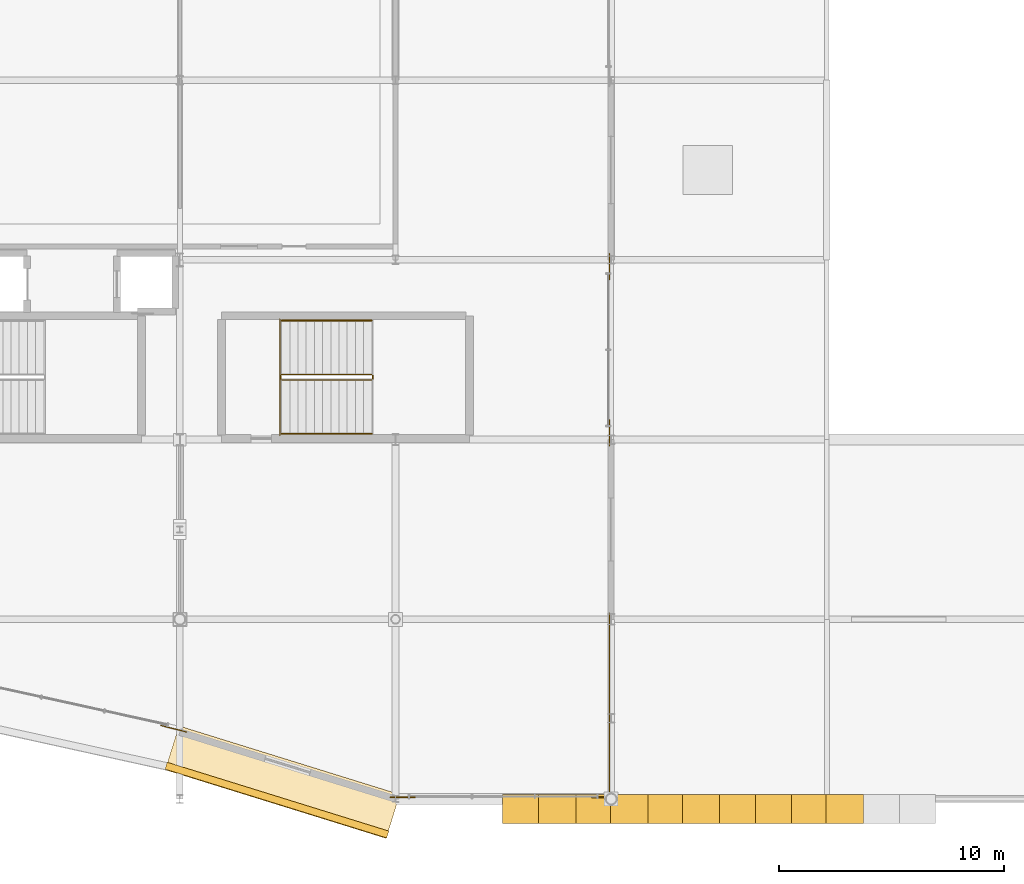
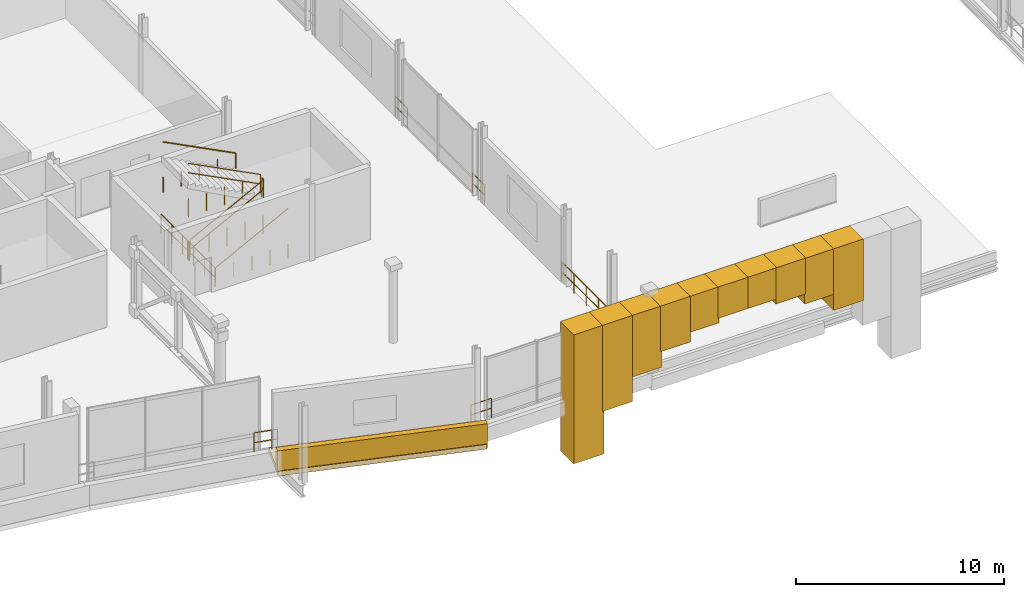
# One storey, part 179 of 193: 12 coverings, 12 railings.
"""IFC4 building model written with IfcOpenShell, lengths in metres."""

import ifcopenshell
import ifcopenshell.guid

model = None  # the IFC model being written
_history = None  # IfcOwnerHistory: only IFC2X3 demands one
_inside = {}  # id of a spatial element -> (the spatial element, [elements in it])
_under = {}  # id of a project, library or spatial element -> (it, [spatial elements below it])
_declared = {}  # id of a project -> (the project, [libraries it declares])
_typed = {}  # id of a type object -> (the type object, [elements of that type])
_made_of = {}  # id of a material, layer set ... -> (it, [elements and type objects made of it])


def new_model(schema):
    """Start an empty IFC model of exactly this schema.

    Asked for "IFC4X3", IfcOpenShell would pick the latest addendum, in which some entities
    have other attributes; the version numbers below select the first issue.
    IFC2X3 requires an IfcOwnerHistory on every rooted entity: one is made here for all.
    """
    global model, _history
    if schema == "IFC4X3":
        model = ifcopenshell.file(schema_version=(4, 3, 0, 0))
    else:
        model = ifcopenshell.file(schema=schema)
    _inside.clear()
    _under.clear()
    _declared.clear()
    _typed.clear()
    _made_of.clear()
    _history = None
    if model.schema == "IFC2X3":
        org = make("IfcOrganization", Name="unknown")
        user = make(
            "IfcPersonAndOrganization",
            ThePerson=make("IfcPerson", FamilyName="unknown"),
            TheOrganization=org,
        )
        app = make(
            "IfcApplication",
            ApplicationDeveloper=org,
            Version="unknown",
            ApplicationFullName="unknown",
            ApplicationIdentifier="unknown",
        )
        _history = make(
            "IfcOwnerHistory",
            OwningUser=user,
            OwningApplication=app,
            ChangeAction="ADDED",
            CreationDate=0,
        )
    return model


def make(cls, **values):
    """One entity of the class cls with the attributes given. An attribute that is None is left unset."""
    return model.create_entity(
        cls, **{name: value for name, value in values.items() if value is not None}
    )


def rooted(cls, **values):
    """An entity with a GlobalId (a new one), such as an element, a storey or a relation."""
    return make(cls, GlobalId=ifcopenshell.guid.new(), OwnerHistory=_history, **values)


def si_unit(unit_type, name, prefix=None):
    """IfcSIUnit, for example si_unit("LENGTHUNIT", "METRE", prefix="MILLI")."""
    return make("IfcSIUnit", UnitType=unit_type, Prefix=prefix, Name=name)


def assignment(units):
    """IfcUnitAssignment: the units of a project."""
    return None if units is None else make("IfcUnitAssignment", Units=units)


def point(xyz):
    """IfcCartesianPoint."""
    return None if xyz is None else make("IfcCartesianPoint", Coordinates=xyz)


def direction(xyz):
    """IfcDirection."""
    return None if xyz is None else make("IfcDirection", DirectionRatios=xyz)


def frame(location, z_axis=None, x_axis=None):
    """IfcAxis2Placement3D, a coordinate frame: its origin and axes. An axis left out is left unset."""
    return make(
        "IfcAxis2Placement3D",
        Location=point(location),
        Axis=direction(z_axis),
        RefDirection=direction(x_axis),
    )


def frame_2d(location, x_axis=None):
    """IfcAxis2Placement2D, a coordinate frame in the plane: its origin and x axis."""
    return make(
        "IfcAxis2Placement2D", Location=point(location), RefDirection=direction(x_axis)
    )


def origin():
    """The frame at (0, 0, 0) with its axes left unset."""
    return frame((0.0, 0.0, 0.0))


def origin_2d():
    """The frame at (0, 0) in the plane with its x axis left unset."""
    return frame_2d((0.0, 0.0))


def place(relative_to, where):
    """IfcLocalPlacement: puts the frame where relative to a parent placement (None: the world)."""
    return make(
        "IfcLocalPlacement", PlacementRelTo=relative_to, RelativePlacement=where
    )


def context(
    kind, dimensions, precision=None, world=None, true_north=None, identifier=None
):
    """IfcGeometricRepresentationContext, for example the 3D "Model" context."""
    return make(
        "IfcGeometricRepresentationContext",
        ContextIdentifier=identifier,
        ContextType=kind,
        CoordinateSpaceDimension=dimensions,
        Precision=precision,
        WorldCoordinateSystem=world,
        TrueNorth=true_north,
    )


def subcontext(parent, identifier, kind, view, scale=None):
    """IfcGeometricRepresentationSubContext, for example "Body" below "Model"."""
    return make(
        "IfcGeometricRepresentationSubContext",
        ContextIdentifier=identifier,
        ContextType=kind,
        ParentContext=parent,
        TargetScale=scale,
        TargetView=view,
    )


def project(units=None, contexts=None):
    """IfcProject with its units and contexts."""
    return rooted(
        "IfcProject",
        Name="project",
        RepresentationContexts=contexts,
        UnitsInContext=assignment(units),
    )


def spatial(cls, under=None, at=None, **own):
    """A site, building, storey or space (cls), placed at a placement, below another one or the project."""
    s = rooted(cls, ObjectPlacement=at, **own)
    if under is not None:
        _under.setdefault(under.id(), (under, []))[1].append(s)
    return s


def profile(cls, at=None, kind="AREA", **sizes):
    """A parametric profile (cls). Its sizes go by their IFC names, for example OverallWidth=200.0."""
    return make(cls, ProfileType=kind, Position=at, **sizes)


def rectangle(**sizes):
    """IfcRectangleProfileDef."""
    return profile("IfcRectangleProfileDef", **sizes)


def circle(**sizes):
    """IfcCircleProfileDef."""
    return profile("IfcCircleProfileDef", **sizes)


def extrude(swept, where, along, depth):
    """IfcExtrudedAreaSolid: the profile swept, set in the frame where, extruded along a direction by depth."""
    return make(
        "IfcExtrudedAreaSolid",
        SweptArea=swept,
        Position=where,
        ExtrudedDirection=direction(along),
        Depth=depth,
    )


def shape(context_of_items, identifier, shape_type, items):
    """IfcShapeRepresentation: the items that make up one representation, for example the "Body"."""
    return make(
        "IfcShapeRepresentation",
        ContextOfItems=context_of_items,
        RepresentationIdentifier=identifier,
        RepresentationType=shape_type,
        Items=items,
    )


def material(Name=None, Category=None):
    """IfcMaterial."""
    return make("IfcMaterial", Name=Name, Category=Category)


def layer(
    of_material, thickness, ventilated=None, Name=None, Category=None, Priority=None
):
    """IfcMaterialLayer: one layer of a wall or slab, of a material (None: an air gap)."""
    return make(
        "IfcMaterialLayer",
        Material=of_material,
        LayerThickness=thickness,
        IsVentilated=ventilated,
        Name=Name,
        Category=Category,
        Priority=Priority,
    )


def layer_set(layers, Name=None):
    """IfcMaterialLayerSet."""
    return make("IfcMaterialLayerSet", MaterialLayers=layers, LayerSetName=Name)


def made_of(thing, what):
    """Note that an element or type object is made of a material, layer set ...; save() writes the relation."""
    if what is not None:
        _made_of.setdefault(what.id(), (what, []))[1].append(thing)
    return thing


def type_object(cls, material=None, **own):
    """A type object (cls), such as IfcWallType, which elements share."""
    return made_of(rooted(cls, **own), material)


def element(
    cls,
    number,
    at=None,
    inside=None,
    cuts=None,
    type_object=None,
    material=None,
    context=None,
    identifier="Body",
    shape_type=None,
    held_by="IfcProductDefinitionShape",
    body=None,
    shapes=None,
    **own,
):
    """One element of the class cls, such as IfcWall. Its Tag is "e" and its number.

    at: its placement. inside: the storey or other place that contains it. cuts: it is an
    opening in that element (IfcRelVoidsElement). A single representation is given by context,
    identifier, shape_type and body (its items); several are given by shapes. held_by: the class
    of the entity that holds the representations. save() writes the other relations.
    """
    e = rooted(cls, Tag="e%d" % number, ObjectPlacement=at, **own)
    if body is not None:
        shapes = [shape(context, identifier, shape_type, body)]
    if shapes is not None:
        e.Representation = make(held_by, Representations=shapes)
    if inside is not None:
        _inside.setdefault(inside.id(), (inside, []))[1].append(e)
    if cuts is not None:
        rooted(
            "IfcRelVoidsElement", RelatingBuildingElement=cuts, RelatedOpeningElement=e
        )
    if type_object is not None:
        _typed.setdefault(type_object.id(), (type_object, []))[1].append(e)
    return made_of(e, material)


def aggregate(whole, parts):
    """IfcRelAggregates: a whole, such as a stair, and the parts it consists of."""
    return rooted("IfcRelAggregates", RelatingObject=whole, RelatedObjects=parts)


def save(model, path):
    """Write the relations noted so far, then the file.

    IfcRelAggregates (storeys below a building ...), IfcRelContainedInSpatialStructure (elements
    in a storey), IfcRelDefinesByType, IfcRelAssociatesMaterial and IfcRelDeclares: one each for
    every whole, place, type object, material and project.
    """
    for whole, parts in _under.values():
        aggregate(whole, parts)
    for where, things in _inside.values():
        rooted(
            "IfcRelContainedInSpatialStructure",
            RelatedElements=things,
            RelatingStructure=where,
        )
    for kind, things in _typed.values():
        rooted("IfcRelDefinesByType", RelatedObjects=things, RelatingType=kind)
    for what, things in _made_of.values():
        rooted("IfcRelAssociatesMaterial", RelatedObjects=things, RelatingMaterial=what)
    for by, libraries in _declared.values():
        rooted("IfcRelDeclares", RelatingContext=by, RelatedDefinitions=libraries)
    model.write(path)


model = new_model("IFC4")

# Units and contexts
model_context = context("Model", 3, precision=1e-05, world=origin(), true_north=direction((0.0, 1.0)))
body_context = subcontext(model_context, "Body", "Model", "MODEL_VIEW")
ifc_project = project(units=[si_unit("LENGTHUNIT", "METRE"), si_unit("AREAUNIT", "SQUARE_METRE"), si_unit("VOLUMEUNIT", "CUBIC_METRE"), si_unit("PLANEANGLEUNIT", "RADIAN"), si_unit("MASSUNIT", "GRAM", prefix="KILO")], contexts=[model_context])

# Site, building, storey
site_placement = place(None, origin())
site = spatial("IfcSite", under=ifc_project, at=site_placement, CompositionType="ELEMENT")
building_placement = place(site_placement, origin())
building = spatial("IfcBuilding", under=site, at=building_placement, Name="Danafjord Basin Convention Centre", CompositionType="ELEMENT")
storey_placement = place(building_placement, frame((0.0, 0.0, 11.39990234375)))
storey = spatial("IfcBuildingStorey", under=building, at=storey_placement, Name="L02", CompositionType="ELEMENT", Elevation=11.39990234375)

# Coverings
ifc_material_1 = material(Name="Architectural white precast concrete C45/55", Category="concrete")
ifc_layer_1 = layer(ifc_material_1, 0.419921875)
ifc_layer_set_1 = layer_set([ifc_layer_1], Name="Architectural white precast concrete C45/55")
covering_type_1 = type_object("IfcCoveringType", Name="COV-ARCH-PORTAL", PredefinedType="CLADDING", material=ifc_layer_set_1)
covering_1_placement = place(storey_placement, frame((111.199951171875, -0.449951171875, -3.36328125), z_axis=(0.0, 0.0, 1.0), x_axis=(1.0, 0.0, 0.0)))
element("IfcCovering", 1, at=covering_1_placement, inside=storey, type_object=covering_type_1, Name="Main entrance arch white concrete spandrel voussoir 1", PredefinedType="CLADDING", context=body_context, shape_type="SweptSolid", body=[
    extrude(rectangle(XDim=1.659912109375, YDim=1.300048828125, at=origin_2d()), origin(), (0.0, 0.0, 1.0), 7.563232421875),
])
covering_2_placement = place(storey_placement, frame((112.800048828125, -0.449951171875, -0.85009765625), z_axis=(0.0, 0.0, 1.0), x_axis=(1.0, 0.0, 0.0)))
element("IfcCovering", 2, at=covering_2_placement, inside=storey, type_object=covering_type_1, Name="Main entrance arch white concrete spandrel voussoir 2", PredefinedType="CLADDING", context=body_context, shape_type="SweptSolid", body=[
    extrude(rectangle(XDim=1.659912109375, YDim=1.300048828125, at=origin_2d()), origin(), (0.0, 0.0, 1.0), 5.05029296875),
])
covering_3_placement = place(storey_placement, frame((114.39990234375, -0.449951171875, 0.597412109375), z_axis=(0.0, 0.0, 1.0), x_axis=(1.0, 0.0, 0.0)))
element("IfcCovering", 3, at=covering_3_placement, inside=storey, type_object=covering_type_1, Name="Main entrance arch white concrete spandrel voussoir 3", PredefinedType="CLADDING", context=body_context, shape_type="SweptSolid", body=[
    extrude(rectangle(XDim=1.659912109375, YDim=1.300048828125, at=origin_2d()), origin(), (0.0, 0.0, 1.0), 3.6025390625),
])
covering_4_placement = place(storey_placement, frame((116.0, -0.449951171875, 1.52685546875), z_axis=(0.0, 0.0, 1.0), x_axis=(1.0, 0.0, 0.0)))
element("IfcCovering", 4, at=covering_4_placement, inside=storey, type_object=covering_type_1, Name="Main entrance arch white concrete spandrel voussoir 4", PredefinedType="CLADDING", context=body_context, shape_type="SweptSolid", body=[
    extrude(rectangle(XDim=1.659912109375, YDim=1.300048828125, at=origin_2d()), origin(), (0.0, 0.0, 1.0), 2.673095703125),
])
covering_5_placement = place(storey_placement, frame((117.60009765625, -0.449951171875, 2.09521484375), z_axis=(0.0, 0.0, 1.0), x_axis=(1.0, 0.0, 0.0)))
element("IfcCovering", 5, at=covering_5_placement, inside=storey, type_object=covering_type_1, Name="Main entrance arch white concrete spandrel voussoir 5", PredefinedType="CLADDING", context=body_context, shape_type="SweptSolid", body=[
    extrude(rectangle(XDim=1.659912109375, YDim=1.300048828125, at=origin_2d()), origin(), (0.0, 0.0, 1.0), 2.104736328125),
])
for number, where, z_axis, x_axis, name in (
    (6, (119.199951171875, -0.449951171875, 2.36669921875), (0.0, 0.0, 1.0), (1.0, 0.0, 0.0), "Main entrance arch white concrete spandrel voussoir 6"),
    (7, (120.800048828125, -0.449951171875, 2.36669921875), (0.0, 0.0, 1.0), (1.0, 0.0, 0.0), "Main entrance arch white concrete spandrel voussoir 7"),
):
    element("IfcCovering", number, at=place(storey_placement, frame(where, z_axis=z_axis, x_axis=x_axis)), inside=storey, type_object=covering_type_1, Name=name, PredefinedType="CLADDING", context=body_context, shape_type="SweptSolid", body=[
        extrude(rectangle(XDim=1.659912109375, YDim=1.300048828125, at=origin_2d()), origin(), (0.0, 0.0, 1.0), 1.83349609375),
    ])
covering_6_placement = place(storey_placement, frame((122.39990234375, -0.449951171875, 2.09521484375), z_axis=(0.0, 0.0, 1.0), x_axis=(1.0, 0.0, 0.0)))
element("IfcCovering", 8, at=covering_6_placement, inside=storey, type_object=covering_type_1, Name="Main entrance arch white concrete spandrel voussoir 8", PredefinedType="CLADDING", context=body_context, shape_type="SweptSolid", body=[
    extrude(rectangle(XDim=1.659912109375, YDim=1.300048828125, at=origin_2d()), origin(), (0.0, 0.0, 1.0), 2.104736328125),
])
covering_7_placement = place(storey_placement, frame((124.0, -0.449951171875, 1.52685546875), z_axis=(0.0, 0.0, 1.0), x_axis=(1.0, 0.0, 0.0)))
element("IfcCovering", 9, at=covering_7_placement, inside=storey, type_object=covering_type_1, Name="Main entrance arch white concrete spandrel voussoir 9", PredefinedType="CLADDING", context=body_context, shape_type="SweptSolid", body=[
    extrude(rectangle(XDim=1.659912109375, YDim=1.300048828125, at=origin_2d()), origin(), (0.0, 0.0, 1.0), 2.673095703125),
])
covering_8_placement = place(storey_placement, frame((125.60009765625, -0.449951171875, 0.597412109375), z_axis=(0.0, 0.0, 1.0), x_axis=(1.0, 0.0, 0.0)))
element("IfcCovering", 10, at=covering_8_placement, inside=storey, type_object=covering_type_1, Name="Main entrance arch white concrete spandrel voussoir 10", PredefinedType="CLADDING", context=body_context, shape_type="SweptSolid", body=[
    extrude(rectangle(XDim=1.659912109375, YDim=1.300048828125, at=origin_2d()), origin(), (0.0, 0.0, 1.0), 3.6025390625),
])
ifc_layer_2 = layer(ifc_material_1, 0.320068359375)
ifc_layer_set_2 = layer_set([ifc_layer_2], Name="Architectural white precast concrete C45/55")
covering_type_2 = type_object("IfcCoveringType", Name="COV-BAND-HORIZ", PredefinedType="CLADDING", material=ifc_layer_set_2)
covering_9_placement = place(storey_placement, frame((100.5703125, 0.749755859375, -0.27978515625), z_axis=(0.0, 0.0, 1.0), x_axis=(0.955044712757, -0.296461796249, 0.0)))
element("IfcCovering", 11, at=covering_9_placement, inside=storey, type_object=covering_type_2, Name="L02 stepped horizontal band soffit plate 23", PredefinedType="CLADDING", context=body_context, shape_type="SweptSolid", body=[
    extrude(rectangle(XDim=10.2919921875, YDim=2.050048828125, at=origin_2d()), origin(), (0.0, 0.0, 1.0), 0.280029296875),
])
covering_10_placement = place(storey_placement, frame((100.32275390625, -0.047607421875, -0.23974609375), z_axis=(0.0, 0.0, 1.0), x_axis=(0.955044712757, -0.296461796249, 0.0)))
element("IfcCovering", 12, at=covering_10_placement, inside=storey, type_object=covering_type_2, Name="L02 layered horizontal white spandrel band 23", PredefinedType="CLADDING", context=body_context, shape_type="SweptSolid", body=[
    extrude(rectangle(XDim=10.33203125, YDim=0.320068359375, at=origin_2d()), origin(), (0.0, 0.0, 1.0), 1.419921875),
])

# Railings
ifc_material_2 = material(Name="Laminated structural glass and stainless steel", Category="steel")
railing_type_1 = type_object("IfcRailingType", Name="RL-BAL-GLS", PredefinedType="BALUSTRADE", material=ifc_material_2)
for number, where, name in (
    (13, (115.1201171875, 24.280029296875, 0.0), "L02 safety guard balustrade 171"),
    (14, (115.1201171875, 16.8798828125, 0.0), "L02 safety guard balustrade 172"),
):
    element("IfcRailing", number, at=place(storey_placement, frame(where)), inside=storey, type_object=railing_type_1, Name=name, PredefinedType="BALUSTRADE", context=body_context, shape_type="SweptSolid", body=[
        extrude(circle(Radius=0.02392578125, at=origin_2d()), frame((0.0, 0.0, 1.1259765625), z_axis=(0.0, -1.0, 0.0), x_axis=(1.0, 0.0, 0.0)), (0.0, 0.0, 1.0), 1.159912109375),
        extrude(circle(Radius=0.02392578125, at=origin_2d()), frame((0.0, 0.0, 0.55078125), z_axis=(0.0, -1.0, 0.0), x_axis=(1.0, 0.0, 0.0)), (0.0, 0.0, 1.0), 1.159912109375),
        extrude(circle(Radius=0.02099609375, at=origin_2d()), origin(), (0.0, 0.0, 1.0), 1.099853515625),
        extrude(circle(Radius=0.02099609375, at=origin_2d()), frame((0.0, -1.159912109375, 0.0)), (0.0, 0.0, 1.0), 1.099853515625),
    ])
railing_1_placement = place(storey_placement, frame((115.1201171875, 8.280029296875, 0.0)))
element("IfcRailing", 15, at=railing_1_placement, inside=storey, type_object=railing_type_1, Name="L02 safety guard balustrade 173", PredefinedType="BALUSTRADE", context=body_context, shape_type="SweptSolid", body=[
    extrude(circle(Radius=0.02392578125, at=origin_2d()), frame((0.0, 0.0, 1.1259765625), z_axis=(0.0, -1.0, 0.0), x_axis=(1.0, 0.0, 0.0)), (0.0, 0.0, 1.0), 8.199951171875),
    extrude(circle(Radius=0.02392578125, at=origin_2d()), frame((0.0, 0.0, 0.55078125), z_axis=(0.0, -1.0, 0.0), x_axis=(1.0, 0.0, 0.0)), (0.0, 0.0, 1.0), 8.199951171875),
    extrude(circle(Radius=0.02392578125, at=origin_2d()), frame((0.0, -8.199951171875, 1.1259765625), z_axis=(-1.0, 0.0, 0.0), x_axis=(0.0, -1.0, 0.0)), (0.0, 0.0, 1.0), 0.800048828125),
    extrude(circle(Radius=0.02392578125, at=origin_2d()), frame((0.0, -8.199951171875, 0.55078125), z_axis=(-1.0, 0.0, 0.0), x_axis=(0.0, -1.0, 0.0)), (0.0, 0.0, 1.0), 0.800048828125),
    extrude(circle(Radius=0.02099609375, at=origin_2d()), origin(), (0.0, 0.0, 1.0), 1.099853515625),
    extrude(circle(Radius=0.02099609375, at=origin_2d()), frame((0.0, -1.17138671875, 0.0)), (0.0, 0.0, 1.0), 1.099853515625),
    extrude(circle(Radius=0.02099609375, at=origin_2d()), frame((0.0, -2.3427734375, 0.0)), (0.0, 0.0, 1.0), 1.099853515625),
    extrude(circle(Radius=0.02099609375, at=origin_2d()), frame((0.0, -3.51416015625, 0.0)), (0.0, 0.0, 1.0), 1.099853515625),
    extrude(circle(Radius=0.02099609375, at=origin_2d()), frame((0.0, -4.685791015625, 0.0)), (0.0, 0.0, 1.0), 1.099853515625),
    extrude(circle(Radius=0.02099609375, at=origin_2d()), frame((0.0, -5.857177734375, 0.0)), (0.0, 0.0, 1.0), 1.099853515625),
    extrude(circle(Radius=0.02099609375, at=origin_2d()), frame((0.0, -7.028564453125, 0.0)), (0.0, 0.0, 1.0), 1.099853515625),
    extrude(circle(Radius=0.02099609375, at=origin_2d()), frame((0.0, -8.199951171875, 0.0)), (0.0, 0.0, 1.0), 1.099853515625),
    extrude(circle(Radius=0.02099609375, at=origin_2d()), frame((-0.800048828125, -8.199951171875, 0.0)), (0.0, 0.0, 1.0), 1.099853515625),
])
railing_2_placement = place(storey_placement, frame((106.47998046875, 0.080078125, 0.0)))
element("IfcRailing", 16, at=railing_2_placement, inside=storey, type_object=railing_type_1, Name="L02 safety guard balustrade 174", PredefinedType="BALUSTRADE", context=body_context, shape_type="SweptSolid", body=[
    extrude(circle(Radius=0.02392578125, at=origin_2d()), frame((0.0, 0.0, 1.1259765625), z_axis=(-1.0, 0.0, 0.0), x_axis=(0.0, -1.0, 0.0)), (0.0, 0.0, 1.0), 1.135009765625),
    extrude(circle(Radius=0.02392578125, at=origin_2d()), frame((0.0, 0.0, 0.55078125), z_axis=(-1.0, 0.0, 0.0), x_axis=(0.0, -1.0, 0.0)), (0.0, 0.0, 1.0), 1.135009765625),
    extrude(circle(Radius=0.02099609375, at=origin_2d()), origin(), (0.0, 0.0, 1.0), 1.099853515625),
    extrude(circle(Radius=0.02099609375, at=origin_2d()), frame((-1.135009765625, 0.0, 0.0)), (0.0, 0.0, 1.0), 1.099853515625),
])
railing_3_placement = place(storey_placement, frame((96.2939453125, 2.98193359375, 0.0)))
element("IfcRailing", 17, at=railing_3_placement, inside=storey, type_object=railing_type_1, Name="L02 safety guard balustrade 175", PredefinedType="BALUSTRADE", context=body_context, shape_type="SweptSolid", body=[
    extrude(circle(Radius=0.02392578125, at=origin_2d()), frame((0.0, 0.0, 1.1259765625), z_axis=(-0.964545266514, 0.263917465971, 0.0), x_axis=(-0.263917465971, -0.964545266514, 0.0)), (0.0, 0.0, 1.0), 0.283935546875),
    extrude(circle(Radius=0.02392578125, at=origin_2d()), frame((0.0, 0.0, 0.55078125), z_axis=(-0.964545266514, 0.263917465971, 0.0), x_axis=(-0.263917465971, -0.964545266514, 0.0)), (0.0, 0.0, 1.0), 0.283935546875),
    extrude(circle(Radius=0.02392578125, at=origin_2d()), frame((-0.27392578125, 0.074951171875, 1.1259765625), z_axis=(-0.969586875981, 0.244747400241, 0.0), x_axis=(-0.244747400241, -0.969586875981, 0.0)), (0.0, 0.0, 1.0), 0.8828125),
    extrude(circle(Radius=0.02392578125, at=origin_2d()), frame((-0.27392578125, 0.074951171875, 0.55078125), z_axis=(-0.969586875981, 0.244747400241, 0.0), x_axis=(-0.244747400241, -0.969586875981, 0.0)), (0.0, 0.0, 1.0), 0.8828125),
    extrude(circle(Radius=0.02099609375, at=origin_2d()), origin(), (0.0, 0.0, 1.0), 1.099853515625),
    extrude(circle(Radius=0.02099609375, at=origin_2d()), frame((-0.27392578125, 0.074951171875, 0.0)), (0.0, 0.0, 1.0), 1.099853515625),
    extrude(circle(Radius=0.02099609375, at=origin_2d()), frame((-1.1298828125, 0.291015625, 0.0)), (0.0, 0.0, 1.0), 1.099853515625),
])
railing_4_placement = place(storey_placement, frame((100.449951171875, 21.375, 0.0)))
element("IfcRailing", 18, at=railing_4_placement, inside=storey, type_object=railing_type_1, Name="L02 safety guard balustrade 200", PredefinedType="BALUSTRADE", context=body_context, shape_type="SweptSolid", body=[
    extrude(circle(Radius=0.02392578125, at=origin_2d()), frame((0.0, 0.0, 1.1259765625), z_axis=(0.0, -1.0, 0.0), x_axis=(1.0, 0.0, 0.0)), (0.0, 0.0, 1.0), 5.18994140625),
    extrude(circle(Radius=0.02392578125, at=origin_2d()), frame((0.0, 0.0, 0.55078125), z_axis=(0.0, -1.0, 0.0), x_axis=(1.0, 0.0, 0.0)), (0.0, 0.0, 1.0), 5.18994140625),
    extrude(circle(Radius=0.02099609375, at=origin_2d()), origin(), (0.0, 0.0, 1.0), 1.099853515625),
    extrude(circle(Radius=0.02099609375, at=origin_2d()), frame((0.0, -1.0380859375, 0.0)), (0.0, 0.0, 1.0), 1.099853515625),
    extrude(circle(Radius=0.02099609375, at=origin_2d()), frame((0.0, -2.075927734375, 0.0)), (0.0, 0.0, 1.0), 1.099853515625),
    extrude(circle(Radius=0.02099609375, at=origin_2d()), frame((0.0, -3.114013671875, 0.0)), (0.0, 0.0, 1.0), 1.099853515625),
    extrude(circle(Radius=0.02099609375, at=origin_2d()), frame((0.0, -4.15185546875, 0.0)), (0.0, 0.0, 1.0), 1.099853515625),
    extrude(circle(Radius=0.02099609375, at=origin_2d()), frame((0.0, -5.18994140625, 0.0)), (0.0, 0.0, 1.0), 1.099853515625),
])
ifc_material_3 = material(Name="Galvanised steel S355", Category="steel")
railing_type_2 = type_object("IfcRailingType", Name="RL-GD-WELL", PredefinedType="BALUSTRADE", material=ifc_material_3)
railing_5_placement = place(storey_placement, frame((100.530029296875, 18.659912109375, 0.1875)))
element("IfcRailing", 19, at=railing_5_placement, inside=storey, type_object=railing_type_2, Name="L02 ST-04 stair guard 1", PredefinedType="BALUSTRADE", context=body_context, shape_type="SweptSolid", body=[
    extrude(circle(Radius=0.02392578125, at=origin_2d()), frame((0.0, 0.0, 1.076171875), z_axis=(0.889495128042, 0.0, 0.456944654405), x_axis=(0.0, 1.0, 0.0)), (0.0, 0.0, 1.0), 4.513671875),
    extrude(circle(Radius=0.02392578125, at=origin_2d()), frame((0.0, 0.0, 0.52587890625), z_axis=(0.889495128042, 0.0, 0.456944654405), x_axis=(0.0, 1.0, 0.0)), (0.0, 0.0, 1.0), 4.513671875),
    extrude(circle(Radius=0.02099609375, at=origin_2d()), origin(), (0.0, 0.0, 1.0), 1.050048828125),
    extrude(circle(Radius=0.02099609375, at=origin_2d()), frame((1.003662109375, 0.0, 0.0)), (0.0, 0.0, 1.0), 1.050048828125),
    extrude(circle(Radius=0.02099609375, at=origin_2d()), frame((2.00732421875, 0.0, 0.0)), (0.0, 0.0, 1.0), 1.050048828125),
    extrude(circle(Radius=0.02099609375, at=origin_2d()), frame((3.01123046875, 0.0, 0.0)), (0.0, 0.0, 1.0), 1.050048828125),
    extrude(circle(Radius=0.02099609375, at=origin_2d()), frame((4.014892578125, 0.0, 0.0)), (0.0, 0.0, 1.0), 1.050048828125),
])
railing_6_placement = place(storey_placement, frame((104.594970703125, 18.7099609375, 2.25)))
element("IfcRailing", 20, at=railing_6_placement, inside=storey, type_object=railing_type_2, Name="L02 ST-04 stair guard 2", PredefinedType="BALUSTRADE", context=body_context, shape_type="SweptSolid", body=[
    extrude(circle(Radius=0.02392578125, at=origin_2d()), frame((0.0, 0.0, 1.076171875), z_axis=(0.0, 1.0, 0.0), x_axis=(-1.0, 0.0, 0.0)), (0.0, 0.0, 1.0), 0.14013671875),
    extrude(circle(Radius=0.02392578125, at=origin_2d()), frame((0.0, 0.0, 0.52587890625), z_axis=(0.0, 1.0, 0.0), x_axis=(-1.0, 0.0, 0.0)), (0.0, 0.0, 1.0), 0.14013671875),
    extrude(circle(Radius=0.02099609375, at=origin_2d()), origin(), (0.0, 0.0, 1.0), 1.050048828125),
    extrude(circle(Radius=0.02099609375, at=origin_2d()), frame((0.0, 0.14013671875, 0.0)), (0.0, 0.0, 1.0), 1.050048828125),
])
railing_7_placement = place(storey_placement, frame((104.544921875, 18.89990234375, 2.4375)))
element("IfcRailing", 21, at=railing_7_placement, inside=storey, type_object=railing_type_2, Name="L02 ST-04 stair guard 3", PredefinedType="BALUSTRADE", context=body_context, shape_type="SweptSolid", body=[
    extrude(circle(Radius=0.02392578125, at=origin_2d()), frame((0.0, 0.0, 1.076171875), z_axis=(-0.889495128042, 0.0, 0.456944654405), x_axis=(0.0, -1.0, 0.0)), (0.0, 0.0, 1.0), 4.513671875),
    extrude(circle(Radius=0.02392578125, at=origin_2d()), frame((0.0, 0.0, 0.52587890625), z_axis=(-0.889495128042, 0.0, 0.456944654405), x_axis=(0.0, -1.0, 0.0)), (0.0, 0.0, 1.0), 4.513671875),
    extrude(circle(Radius=0.02099609375, at=origin_2d()), origin(), (0.0, 0.0, 1.0), 1.050048828125),
    extrude(circle(Radius=0.02099609375, at=origin_2d()), frame((-1.003662109375, 0.0, 0.0)), (0.0, 0.0, 1.0), 1.050048828125),
    extrude(circle(Radius=0.02099609375, at=origin_2d()), frame((-2.00732421875, 0.0, 0.0)), (0.0, 0.0, 1.0), 1.050048828125),
    extrude(circle(Radius=0.02099609375, at=origin_2d()), frame((-3.01123046875, 0.0, 0.0)), (0.0, 0.0, 1.0), 1.050048828125),
    extrude(circle(Radius=0.02099609375, at=origin_2d()), frame((-4.014892578125, 0.0, 0.0)), (0.0, 0.0, 1.0), 1.050048828125),
])
railing_8_placement = place(storey_placement, frame((100.47998046875, 18.7099609375, 0.0)))
element("IfcRailing", 22, at=railing_8_placement, inside=storey, type_object=railing_type_2, Name="L02 ST-04 stair guard 4", PredefinedType="BALUSTRADE", context=body_context, shape_type="SweptSolid", body=[
    extrude(circle(Radius=0.02392578125, at=origin_2d()), frame((0.0, 0.0, 1.076171875), z_axis=(0.0, 1.0, 0.0), x_axis=(-1.0, 0.0, 0.0)), (0.0, 0.0, 1.0), 0.14013671875),
    extrude(circle(Radius=0.02392578125, at=origin_2d()), frame((0.0, 0.0, 0.52587890625), z_axis=(0.0, 1.0, 0.0), x_axis=(-1.0, 0.0, 0.0)), (0.0, 0.0, 1.0), 0.14013671875),
    extrude(circle(Radius=0.02099609375, at=origin_2d()), origin(), (0.0, 0.0, 1.0), 1.050048828125),
    extrude(circle(Radius=0.02099609375, at=origin_2d()), frame((0.0, 0.14013671875, 0.0)), (0.0, 0.0, 1.0), 1.050048828125),
])
ifc_material_4 = material(Name="Brushed stainless steel EN 1.4404", Category="steel")
railing_type_3 = type_object("IfcRailingType", Name="RL-HR-STAIR", PredefinedType="HANDRAIL", material=ifc_material_4)
railing_9_placement = place(storey_placement, frame((100.530029296875, 16.260009765625, 0.1875)))
element("IfcRailing", 23, at=railing_9_placement, inside=storey, type_object=railing_type_3, Name="L02 ST-04 stair handrail 1", PredefinedType="HANDRAIL", context=body_context, shape_type="SweptSolid", body=[
    extrude(circle(Radius=0.02392578125, at=origin_2d()), frame((0.0, 0.0, 0.8759765625), z_axis=(0.889495128042, 0.0, 0.456944654405), x_axis=(0.0, 1.0, 0.0)), (0.0, 0.0, 1.0), 4.513671875),
    extrude(circle(Radius=0.02099609375, at=origin_2d()), origin(), (0.0, 0.0, 1.0), 0.849853515625),
    extrude(circle(Radius=0.02099609375, at=origin_2d()), frame((1.003662109375, 0.0, 0.0)), (0.0, 0.0, 1.0), 0.849853515625),
    extrude(circle(Radius=0.02099609375, at=origin_2d()), frame((2.00732421875, 0.0, 0.0)), (0.0, 0.0, 1.0), 0.849853515625),
    extrude(circle(Radius=0.02099609375, at=origin_2d()), frame((3.01123046875, 0.0, 0.0)), (0.0, 0.0, 1.0), 0.849853515625),
    extrude(circle(Radius=0.02099609375, at=origin_2d()), frame((4.014892578125, 0.0, 0.0)), (0.0, 0.0, 1.0), 0.849853515625),
])
railing_10_placement = place(storey_placement, frame((104.544921875, 21.300048828125, 2.4375)))
element("IfcRailing", 24, at=railing_10_placement, inside=storey, type_object=railing_type_3, Name="L02 ST-04 stair handrail 2", PredefinedType="HANDRAIL", context=body_context, shape_type="SweptSolid", body=[
    extrude(circle(Radius=0.02392578125, at=origin_2d()), frame((0.0, 0.0, 0.8759765625), z_axis=(-0.889495128042, 0.0, 0.456944654405), x_axis=(0.0, -1.0, 0.0)), (0.0, 0.0, 1.0), 4.513671875),
    extrude(circle(Radius=0.02099609375, at=origin_2d()), origin(), (0.0, 0.0, 1.0), 0.849853515625),
    extrude(circle(Radius=0.02099609375, at=origin_2d()), frame((-1.003662109375, 0.0, 0.0)), (0.0, 0.0, 1.0), 0.849853515625),
    extrude(circle(Radius=0.02099609375, at=origin_2d()), frame((-2.00732421875, 0.0, 0.0)), (0.0, 0.0, 1.0), 0.849853515625),
    extrude(circle(Radius=0.02099609375, at=origin_2d()), frame((-3.01123046875, 0.0, 0.0)), (0.0, 0.0, 1.0), 0.849853515625),
    extrude(circle(Radius=0.02099609375, at=origin_2d()), frame((-4.014892578125, 0.0, 0.0)), (0.0, 0.0, 1.0), 0.849853515625),
])

save(model, "model.ifc")
